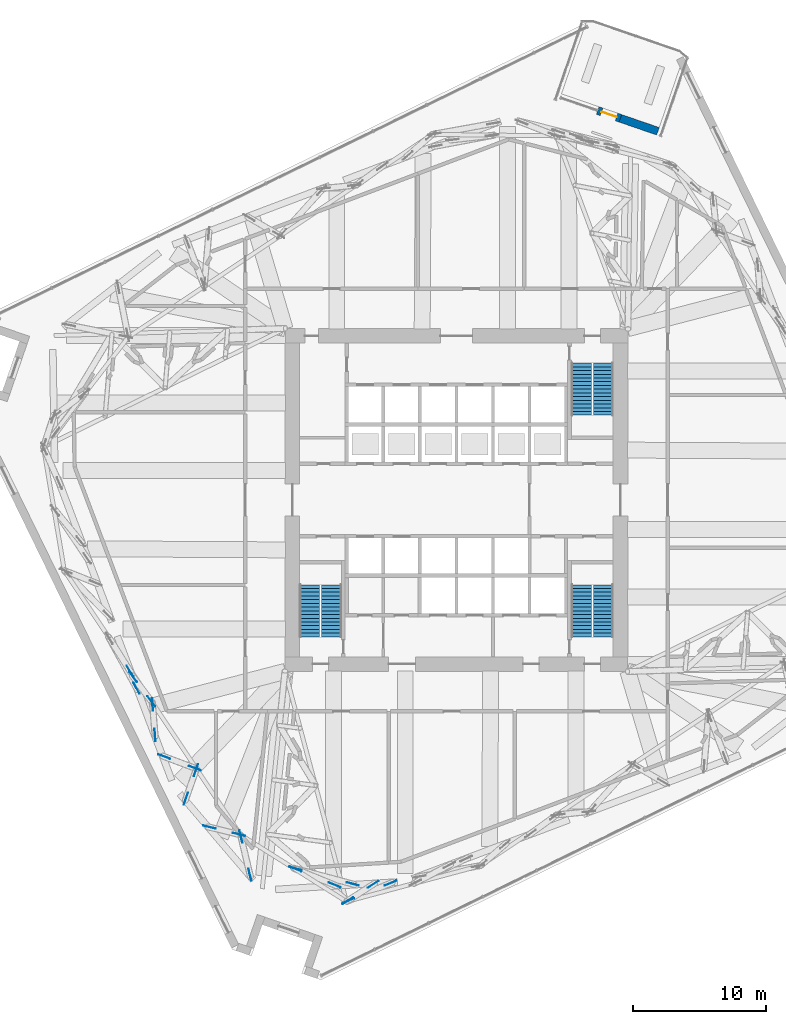
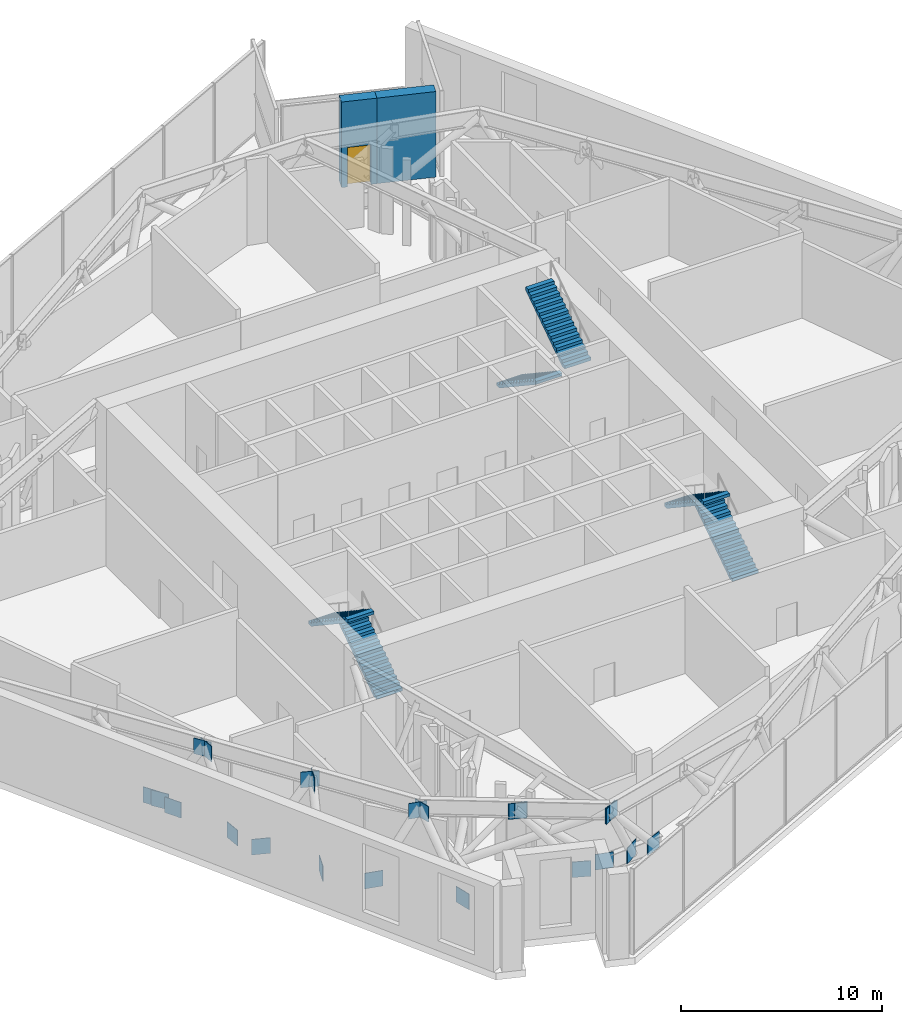
# One storey, part 15 of 21: 22 discrete accessories, 6 stair flights, 2 walls, 1 door, 1 opening, 3 elements without a shape of their own.
"""IFC4 building model written with IfcOpenShell, lengths in metres."""

import ifcopenshell
import ifcopenshell.guid

model = None  # the IFC model being written
_history = None  # IfcOwnerHistory: only IFC2X3 demands one
_inside = {}  # id of a spatial element -> (the spatial element, [elements in it])
_under = {}  # id of a project, library or spatial element -> (it, [spatial elements below it])
_declared = {}  # id of a project -> (the project, [libraries it declares])
_typed = {}  # id of a type object -> (the type object, [elements of that type])
_made_of = {}  # id of a material, layer set ... -> (it, [elements and type objects made of it])


def new_model(schema):
    """Start an empty IFC model of exactly this schema.

    Asked for "IFC4X3", IfcOpenShell would pick the latest addendum, in which some entities
    have other attributes; the version numbers below select the first issue.
    IFC2X3 requires an IfcOwnerHistory on every rooted entity: one is made here for all.
    """
    global model, _history
    if schema == "IFC4X3":
        model = ifcopenshell.file(schema_version=(4, 3, 0, 0))
    else:
        model = ifcopenshell.file(schema=schema)
    _inside.clear()
    _under.clear()
    _declared.clear()
    _typed.clear()
    _made_of.clear()
    _history = None
    if model.schema == "IFC2X3":
        org = make("IfcOrganization", Name="unknown")
        user = make(
            "IfcPersonAndOrganization",
            ThePerson=make("IfcPerson", FamilyName="unknown"),
            TheOrganization=org,
        )
        app = make(
            "IfcApplication",
            ApplicationDeveloper=org,
            Version="unknown",
            ApplicationFullName="unknown",
            ApplicationIdentifier="unknown",
        )
        _history = make(
            "IfcOwnerHistory",
            OwningUser=user,
            OwningApplication=app,
            ChangeAction="ADDED",
            CreationDate=0,
        )
    return model


def make(cls, **values):
    """One entity of the class cls with the attributes given. An attribute that is None is left unset."""
    return model.create_entity(
        cls, **{name: value for name, value in values.items() if value is not None}
    )


def rooted(cls, **values):
    """An entity with a GlobalId (a new one), such as an element, a storey or a relation."""
    return make(cls, GlobalId=ifcopenshell.guid.new(), OwnerHistory=_history, **values)


def si_unit(unit_type, name, prefix=None):
    """IfcSIUnit, for example si_unit("LENGTHUNIT", "METRE", prefix="MILLI")."""
    return make("IfcSIUnit", UnitType=unit_type, Prefix=prefix, Name=name)


def assignment(units):
    """IfcUnitAssignment: the units of a project."""
    return None if units is None else make("IfcUnitAssignment", Units=units)


def point(xyz):
    """IfcCartesianPoint."""
    return None if xyz is None else make("IfcCartesianPoint", Coordinates=xyz)


def direction(xyz):
    """IfcDirection."""
    return None if xyz is None else make("IfcDirection", DirectionRatios=xyz)


def frame(location, z_axis=None, x_axis=None):
    """IfcAxis2Placement3D, a coordinate frame: its origin and axes. An axis left out is left unset."""
    return make(
        "IfcAxis2Placement3D",
        Location=point(location),
        Axis=direction(z_axis),
        RefDirection=direction(x_axis),
    )


def frame_2d(location, x_axis=None):
    """IfcAxis2Placement2D, a coordinate frame in the plane: its origin and x axis."""
    return make(
        "IfcAxis2Placement2D", Location=point(location), RefDirection=direction(x_axis)
    )


def origin():
    """The frame at (0, 0, 0) with its axes left unset."""
    return frame((0.0, 0.0, 0.0))


def origin_2d():
    """The frame at (0, 0) in the plane with its x axis left unset."""
    return frame_2d((0.0, 0.0))


def place(relative_to, where):
    """IfcLocalPlacement: puts the frame where relative to a parent placement (None: the world)."""
    return make(
        "IfcLocalPlacement", PlacementRelTo=relative_to, RelativePlacement=where
    )


def context(
    kind, dimensions, precision=None, world=None, true_north=None, identifier=None
):
    """IfcGeometricRepresentationContext, for example the 3D "Model" context."""
    return make(
        "IfcGeometricRepresentationContext",
        ContextIdentifier=identifier,
        ContextType=kind,
        CoordinateSpaceDimension=dimensions,
        Precision=precision,
        WorldCoordinateSystem=world,
        TrueNorth=true_north,
    )


def subcontext(parent, identifier, kind, view, scale=None):
    """IfcGeometricRepresentationSubContext, for example "Body" below "Model"."""
    return make(
        "IfcGeometricRepresentationSubContext",
        ContextIdentifier=identifier,
        ContextType=kind,
        ParentContext=parent,
        TargetScale=scale,
        TargetView=view,
    )


def project(units=None, contexts=None):
    """IfcProject with its units and contexts."""
    return rooted(
        "IfcProject",
        Name="project",
        RepresentationContexts=contexts,
        UnitsInContext=assignment(units),
    )


def spatial(cls, under=None, at=None, **own):
    """A site, building, storey or space (cls), placed at a placement, below another one or the project."""
    s = rooted(cls, ObjectPlacement=at, **own)
    if under is not None:
        _under.setdefault(under.id(), (under, []))[1].append(s)
    return s


def polyline(points):
    """IfcPolyline through the points."""
    return make("IfcPolyline", Points=[point(p) for p in points])


def profile(cls, at=None, kind="AREA", **sizes):
    """A parametric profile (cls). Its sizes go by their IFC names, for example OverallWidth=200.0."""
    return make(cls, ProfileType=kind, Position=at, **sizes)


def rectangle(**sizes):
    """IfcRectangleProfileDef."""
    return profile("IfcRectangleProfileDef", **sizes)


def outline(outer, holes=None, kind="AREA"):
    """IfcArbitraryClosedProfileDef: a profile drawn as a closed curve; with holes, ...WithVoids."""
    if holes is None:
        return make("IfcArbitraryClosedProfileDef", ProfileType=kind, OuterCurve=outer)
    return make(
        "IfcArbitraryProfileDefWithVoids",
        ProfileType=kind,
        OuterCurve=outer,
        InnerCurves=holes,
    )


def extrude(swept, where, along, depth):
    """IfcExtrudedAreaSolid: the profile swept, set in the frame where, extruded along a direction by depth."""
    return make(
        "IfcExtrudedAreaSolid",
        SweptArea=swept,
        Position=where,
        ExtrudedDirection=direction(along),
        Depth=depth,
    )


def shape(context_of_items, identifier, shape_type, items):
    """IfcShapeRepresentation: the items that make up one representation, for example the "Body"."""
    return make(
        "IfcShapeRepresentation",
        ContextOfItems=context_of_items,
        RepresentationIdentifier=identifier,
        RepresentationType=shape_type,
        Items=items,
    )


def material(Name=None, Category=None):
    """IfcMaterial."""
    return make("IfcMaterial", Name=Name, Category=Category)


def layer(
    of_material, thickness, ventilated=None, Name=None, Category=None, Priority=None
):
    """IfcMaterialLayer: one layer of a wall or slab, of a material (None: an air gap)."""
    return make(
        "IfcMaterialLayer",
        Material=of_material,
        LayerThickness=thickness,
        IsVentilated=ventilated,
        Name=Name,
        Category=Category,
        Priority=Priority,
    )


def layer_set(layers, Name=None):
    """IfcMaterialLayerSet."""
    return make("IfcMaterialLayerSet", MaterialLayers=layers, LayerSetName=Name)


def made_of(thing, what):
    """Note that an element or type object is made of a material, layer set ...; save() writes the relation."""
    if what is not None:
        _made_of.setdefault(what.id(), (what, []))[1].append(thing)
    return thing


def type_object(cls, material=None, **own):
    """A type object (cls), such as IfcWallType, which elements share."""
    return made_of(rooted(cls, **own), material)


def element(
    cls,
    number,
    at=None,
    inside=None,
    cuts=None,
    type_object=None,
    material=None,
    context=None,
    identifier="Body",
    shape_type=None,
    held_by="IfcProductDefinitionShape",
    body=None,
    shapes=None,
    **own,
):
    """One element of the class cls, such as IfcWall. Its Tag is "e" and its number.

    at: its placement. inside: the storey or other place that contains it. cuts: it is an
    opening in that element (IfcRelVoidsElement). A single representation is given by context,
    identifier, shape_type and body (its items); several are given by shapes. held_by: the class
    of the entity that holds the representations. save() writes the other relations.
    """
    e = rooted(cls, Tag="e%d" % number, ObjectPlacement=at, **own)
    if body is not None:
        shapes = [shape(context, identifier, shape_type, body)]
    if shapes is not None:
        e.Representation = make(held_by, Representations=shapes)
    if inside is not None:
        _inside.setdefault(inside.id(), (inside, []))[1].append(e)
    if cuts is not None:
        rooted(
            "IfcRelVoidsElement", RelatingBuildingElement=cuts, RelatedOpeningElement=e
        )
    if type_object is not None:
        _typed.setdefault(type_object.id(), (type_object, []))[1].append(e)
    return made_of(e, material)


def fill(opening, filler):
    """IfcRelFillsElement: the door or window that sits in an opening."""
    return rooted(
        "IfcRelFillsElement",
        RelatingOpeningElement=opening,
        RelatedBuildingElement=filler,
    )


def aggregate(whole, parts):
    """IfcRelAggregates: a whole, such as a stair, and the parts it consists of."""
    return rooted("IfcRelAggregates", RelatingObject=whole, RelatedObjects=parts)


def save(model, path):
    """Write the relations noted so far, then the file.

    IfcRelAggregates (storeys below a building ...), IfcRelContainedInSpatialStructure (elements
    in a storey), IfcRelDefinesByType, IfcRelAssociatesMaterial and IfcRelDeclares: one each for
    every whole, place, type object, material and project.
    """
    for whole, parts in _under.values():
        aggregate(whole, parts)
    for where, things in _inside.values():
        rooted(
            "IfcRelContainedInSpatialStructure",
            RelatedElements=things,
            RelatingStructure=where,
        )
    for kind, things in _typed.values():
        rooted("IfcRelDefinesByType", RelatedObjects=things, RelatingType=kind)
    for what, things in _made_of.values():
        rooted("IfcRelAssociatesMaterial", RelatedObjects=things, RelatingMaterial=what)
    for by, libraries in _declared.values():
        rooted("IfcRelDeclares", RelatingContext=by, RelatedDefinitions=libraries)
    model.write(path)


model = new_model("IFC4")

# Units and contexts
model_context = context("Model", 3, precision=1e-05, world=origin(), true_north=direction((0.0, 1.0)))
body_context = subcontext(model_context, "Body", "Model", "MODEL_VIEW")
ifc_project = project(units=[si_unit("LENGTHUNIT", "METRE"), si_unit("AREAUNIT", "SQUARE_METRE"), si_unit("VOLUMEUNIT", "CUBIC_METRE"), si_unit("PLANEANGLEUNIT", "RADIAN"), si_unit("MASSUNIT", "GRAM", prefix="KILO")], contexts=[model_context])

# Site, building, storey
site_placement = place(None, origin())
site = spatial("IfcSite", under=ifc_project, at=site_placement, CompositionType="ELEMENT")
building_placement = place(site_placement, origin())
building = spatial("IfcBuilding", under=site, at=building_placement, Name="Dilmun Exchange Tower", CompositionType="ELEMENT")
storey_placement = place(building_placement, frame((0.0, 0.0, 130.10009765625)))
storey = spatial("IfcBuildingStorey", under=building, at=storey_placement, Name="L30", CompositionType="ELEMENT", Elevation=130.10009765625)

# Wall
ifc_material_1 = material(Name="Precast concrete C50/60", Category="concrete")
ifc_layer_1 = layer(ifc_material_1, 0.60009765625)
ifc_layer_set_1 = layer_set([ifc_layer_1], Name="Precast concrete C50/60")
wall_type = type_object("IfcWallType", Name="Precast stone-clad wall 600", PredefinedType="STANDARD", material=ifc_layer_set_1)
wall_1_placement = place(storey_placement, frame((15.16455078125, 27.75146484375, 0.0), z_axis=(0.0, 0.0, 1.0), x_axis=(-0.945516977766, 0.325572794866, 0.0)))
element("IfcWall", 1, at=wall_1_placement, inside=storey, type_object=wall_type, Name="Facade wall L30-01-0B", PredefinedType="STANDARD", context=body_context, shape_type="SweptSolid", body=[
    extrude(rectangle(XDim=2.989013671875, YDim=0.60009765625, at=frame_2d((1.49462890625, 0.0))), origin(), (0.0, 0.0, 1.0), 5.199951171875),
])

# Wall, opening, door
wall_2_placement = place(storey_placement, frame((12.33837890625, 28.724609375, 0.0), z_axis=(0.0, 0.0, 1.0), x_axis=(-0.945504051949, 0.325610331143, 0.0)))
wall_2 = element("IfcWall", 2, at=wall_2_placement, inside=storey, type_object=wall_type, Name="Facade wall L30-01-D", PredefinedType="STANDARD", context=body_context, shape_type="SweptSolid", body=[
    extrude(rectangle(XDim=1.80029296875, YDim=0.60009765625, at=frame_2d((0.900146484375, 0.0))), origin(), (0.0, 0.0, 1.0), 5.199951171875),
])
opening_placement = place(wall_2_placement, frame((0.300048828125, 0.0, 0.0)))
opening = element("IfcOpeningElement", 3, at=opening_placement, cuts=wall_2, Name="Opening GD-1", PredefinedType="OPENING", context=body_context, shape_type="SweptSolid", body=[
    extrude(rectangle(XDim=1.199951171875, YDim=2.39990234375, at=frame_2d((0.60009765625, 1.199951171875))), frame((0.0, 0.31005859375, 0.0), z_axis=(0.0, -1.0, 0.0), x_axis=(1.0, 0.0, 0.0)), (0.0, 0.0, 1.0), 0.6201171875),
])
ifc_material_2 = material(Name="Clear low-emissivity glass in aluminium frame", Category="aluminium")
door_type = type_object("IfcDoorType", Name="Glazed garden door 1200 x 2400", OperationType="SINGLE_SWING_LEFT", PredefinedType="DOOR", material=ifc_material_2)
door_placement = place(opening_placement, origin())
door = element("IfcDoor", 4, at=door_placement, inside=storey, type_object=door_type, Name="Garden terrace door", OperationType="SINGLE_SWING_LEFT", OverallHeight=2.39990234375, OverallWidth=1.199951171875, PredefinedType="DOOR", context=body_context, shape_type="SweptSolid", body=[
    extrude(rectangle(XDim=1.199951171875, YDim=2.39990234375, at=frame_2d((0.60009765625, 1.199951171875))), frame((0.0, 0.02490234375, 0.0), z_axis=(0.0, -1.0, 0.0), x_axis=(1.0, 0.0, 0.0)), (0.0, 0.0, 1.0), 0.050048828125),
])
fill(opening, door)

# Stair, stair flights
ifc_material_3 = material(Name="Concrete C40/50", Category="concrete")
stair_type = type_object("IfcStairType", Name="Exit stair 1500 half-turn", PredefinedType="HALF_TURN_STAIR", material=ifc_material_3)
stair_1_placement = place(storey_placement, origin())
stair_1 = element("IfcStair", 5, at=stair_1_placement, inside=storey, type_object=stair_type, Name="L30 Protected exit stair ST1", PredefinedType="HALF_TURN_STAIR")
stair_flight_type = type_object("IfcStairFlightType", Name="Exit stair flight 1500", PredefinedType="STRAIGHT", material=ifc_material_3)
stair_flight_1_placement = place(storey_placement, frame((9.39990234375, 10.300048828125, 0.0), z_axis=(0.0, 0.0, 1.0), x_axis=(0.0, -1.0, 0.0)))
stair_flight_1 = element("IfcStairFlight", 6, at=stair_flight_1_placement, type_object=stair_flight_type, Name="ST1 flight 1", NumberOfRisers=15, NumberOfTreads=14, PredefinedType="STRAIGHT", RiserHeight=0.186666667, TreadLength=0.28, context=body_context, shape_type="SweptSolid", body=[
    extrude(outline(polyline([(0.0, 0.0), (0.0, 0.186767578125), (0.280029296875, 0.186767578125), (0.280029296875, 0.373291015625), (0.56005859375, 0.373291015625), (0.56005859375, 0.56005859375), (0.840087890625, 0.56005859375), (0.840087890625, 0.74658203125), (1.1201171875, 0.74658203125), (1.1201171875, 0.933349609375), (1.39990234375, 0.933349609375), (1.39990234375, 1.1201171875), (1.679931640625, 1.1201171875), (1.679931640625, 1.306640625), (1.9599609375, 1.306640625), (1.9599609375, 1.493408203125), (2.239990234375, 1.493408203125), (2.239990234375, 1.679931640625), (2.52001953125, 1.679931640625), (2.52001953125, 1.86669921875), (2.800048828125, 1.86669921875), (2.800048828125, 2.05322265625), (3.080078125, 2.05322265625), (3.080078125, 2.239990234375), (3.360107421875, 2.239990234375), (3.360107421875, 2.4267578125), (3.639892578125, 2.4267578125), (3.639892578125, 2.61328125), (3.919921875, 2.61328125), (3.919921875, 2.800048828125), (3.919921875, 2.43310546875), (0.270263671875, 0.0), (0.0, 0.0)])), frame((0.0, 0.75, 0.0), z_axis=(0.0, -1.0, 0.0), x_axis=(1.0, 0.0, 0.0)), (0.0, 0.0, 1.0), 1.5),
])
stair_flight_2_placement = place(storey_placement, frame((11.050048828125, 6.3798828125, 2.7998046875), z_axis=(0.0, 0.0, 1.0), x_axis=(0.0, 1.0, 0.0)))
stair_flight_2 = element("IfcStairFlight", 7, at=stair_flight_2_placement, type_object=stair_flight_type, Name="ST1 flight 2", NumberOfRisers=15, NumberOfTreads=14, PredefinedType="STRAIGHT", RiserHeight=0.186666667, TreadLength=0.28, context=body_context, shape_type="SweptSolid", body=[
    extrude(outline(polyline([(0.0, 0.0), (0.0, 0.186767578125), (0.280029296875, 0.186767578125), (0.280029296875, 0.373291015625), (0.56005859375, 0.373291015625), (0.56005859375, 0.56005859375), (0.840087890625, 0.56005859375), (0.840087890625, 0.74658203125), (1.1201171875, 0.74658203125), (1.1201171875, 0.933349609375), (1.39990234375, 0.933349609375), (1.39990234375, 1.1201171875), (1.679931640625, 1.1201171875), (1.679931640625, 1.306640625), (1.9599609375, 1.306640625), (1.9599609375, 1.493408203125), (2.239990234375, 1.493408203125), (2.239990234375, 1.679931640625), (2.52001953125, 1.679931640625), (2.52001953125, 1.86669921875), (2.800048828125, 1.86669921875), (2.800048828125, 2.05322265625), (3.080078125, 2.05322265625), (3.080078125, 2.239990234375), (3.360107421875, 2.239990234375), (3.360107421875, 2.4267578125), (3.639892578125, 2.4267578125), (3.639892578125, 2.61328125), (3.919921875, 2.61328125), (3.919921875, 2.800048828125), (3.919921875, 2.43310546875), (0.270263671875, 0.0), (0.0, 0.0)])), frame((0.0, 0.75, 0.0), z_axis=(0.0, -1.0, 0.0), x_axis=(1.0, 0.0, 0.0)), (0.0, 0.0, 1.0), 1.5),
])
aggregate(stair_1, [stair_flight_1, stair_flight_2])

stair_2_placement = place(storey_placement, origin())
stair_2 = element("IfcStair", 8, at=stair_2_placement, inside=storey, type_object=stair_type, Name="L30 Protected exit stair ST2", PredefinedType="HALF_TURN_STAIR")
stair_flight_3_placement = place(storey_placement, frame((-9.39990234375, -10.300048828125, 0.0), z_axis=(0.0, 0.0, 1.0), x_axis=(0.0, 1.0, 0.0)))
stair_flight_3 = element("IfcStairFlight", 9, at=stair_flight_3_placement, type_object=stair_flight_type, Name="ST2 flight 1", NumberOfRisers=15, NumberOfTreads=14, PredefinedType="STRAIGHT", RiserHeight=0.186666667, TreadLength=0.28, context=body_context, shape_type="SweptSolid", body=[
    extrude(outline(polyline([(0.0, 0.0), (0.0, 0.186767578125), (0.280029296875, 0.186767578125), (0.280029296875, 0.373291015625), (0.56005859375, 0.373291015625), (0.56005859375, 0.56005859375), (0.840087890625, 0.56005859375), (0.840087890625, 0.74658203125), (1.1201171875, 0.74658203125), (1.1201171875, 0.933349609375), (1.39990234375, 0.933349609375), (1.39990234375, 1.1201171875), (1.679931640625, 1.1201171875), (1.679931640625, 1.306640625), (1.9599609375, 1.306640625), (1.9599609375, 1.493408203125), (2.239990234375, 1.493408203125), (2.239990234375, 1.679931640625), (2.52001953125, 1.679931640625), (2.52001953125, 1.86669921875), (2.800048828125, 1.86669921875), (2.800048828125, 2.05322265625), (3.080078125, 2.05322265625), (3.080078125, 2.239990234375), (3.360107421875, 2.239990234375), (3.360107421875, 2.4267578125), (3.639892578125, 2.4267578125), (3.639892578125, 2.61328125), (3.919921875, 2.61328125), (3.919921875, 2.800048828125), (3.919921875, 2.43310546875), (0.270263671875, 0.0), (0.0, 0.0)])), frame((0.0, 0.75, 0.0), z_axis=(0.0, -1.0, 0.0), x_axis=(1.0, 0.0, 0.0)), (0.0, 0.0, 1.0), 1.5),
])
stair_flight_4_placement = place(storey_placement, frame((-11.050048828125, -6.3798828125, 2.7998046875), z_axis=(0.0, 0.0, 1.0), x_axis=(0.0, -1.0, 0.0)))
stair_flight_4 = element("IfcStairFlight", 10, at=stair_flight_4_placement, type_object=stair_flight_type, Name="ST2 flight 2", NumberOfRisers=15, NumberOfTreads=14, PredefinedType="STRAIGHT", RiserHeight=0.186666667, TreadLength=0.28, context=body_context, shape_type="SweptSolid", body=[
    extrude(outline(polyline([(0.0, 0.0), (0.0, 0.186767578125), (0.280029296875, 0.186767578125), (0.280029296875, 0.373291015625), (0.56005859375, 0.373291015625), (0.56005859375, 0.56005859375), (0.840087890625, 0.56005859375), (0.840087890625, 0.74658203125), (1.1201171875, 0.74658203125), (1.1201171875, 0.933349609375), (1.39990234375, 0.933349609375), (1.39990234375, 1.1201171875), (1.679931640625, 1.1201171875), (1.679931640625, 1.306640625), (1.9599609375, 1.306640625), (1.9599609375, 1.493408203125), (2.239990234375, 1.493408203125), (2.239990234375, 1.679931640625), (2.52001953125, 1.679931640625), (2.52001953125, 1.86669921875), (2.800048828125, 1.86669921875), (2.800048828125, 2.05322265625), (3.080078125, 2.05322265625), (3.080078125, 2.239990234375), (3.360107421875, 2.239990234375), (3.360107421875, 2.4267578125), (3.639892578125, 2.4267578125), (3.639892578125, 2.61328125), (3.919921875, 2.61328125), (3.919921875, 2.800048828125), (3.919921875, 2.43310546875), (0.270263671875, 0.0), (0.0, 0.0)])), frame((0.0, 0.75, 0.0), z_axis=(0.0, -1.0, 0.0), x_axis=(1.0, 0.0, 0.0)), (0.0, 0.0, 1.0), 1.5),
])
aggregate(stair_2, [stair_flight_3, stair_flight_4])

stair_3_placement = place(storey_placement, origin())
stair_3 = element("IfcStair", 11, at=stair_3_placement, inside=storey, type_object=stair_type, Name="L30 Protected exit stair ST3", PredefinedType="HALF_TURN_STAIR")
stair_flight_5_placement = place(storey_placement, frame((11.050048828125, -10.300048828125, 0.0), z_axis=(0.0, 0.0, 1.0), x_axis=(0.0, 1.0, 0.0)))
stair_flight_5 = element("IfcStairFlight", 12, at=stair_flight_5_placement, type_object=stair_flight_type, Name="ST3 flight 1", NumberOfRisers=15, NumberOfTreads=14, PredefinedType="STRAIGHT", RiserHeight=0.186666667, TreadLength=0.28, context=body_context, shape_type="SweptSolid", body=[
    extrude(outline(polyline([(0.0, 0.0), (0.0, 0.186767578125), (0.280029296875, 0.186767578125), (0.280029296875, 0.373291015625), (0.56005859375, 0.373291015625), (0.56005859375, 0.56005859375), (0.840087890625, 0.56005859375), (0.840087890625, 0.74658203125), (1.1201171875, 0.74658203125), (1.1201171875, 0.933349609375), (1.39990234375, 0.933349609375), (1.39990234375, 1.1201171875), (1.679931640625, 1.1201171875), (1.679931640625, 1.306640625), (1.9599609375, 1.306640625), (1.9599609375, 1.493408203125), (2.239990234375, 1.493408203125), (2.239990234375, 1.679931640625), (2.52001953125, 1.679931640625), (2.52001953125, 1.86669921875), (2.800048828125, 1.86669921875), (2.800048828125, 2.05322265625), (3.080078125, 2.05322265625), (3.080078125, 2.239990234375), (3.360107421875, 2.239990234375), (3.360107421875, 2.4267578125), (3.639892578125, 2.4267578125), (3.639892578125, 2.61328125), (3.919921875, 2.61328125), (3.919921875, 2.800048828125), (3.919921875, 2.43310546875), (0.270263671875, 0.0), (0.0, 0.0)])), frame((0.0, 0.75, 0.0), z_axis=(0.0, -1.0, 0.0), x_axis=(1.0, 0.0, 0.0)), (0.0, 0.0, 1.0), 1.5),
])
stair_flight_6_placement = place(storey_placement, frame((9.39990234375, -6.3798828125, 2.7998046875), z_axis=(0.0, 0.0, 1.0), x_axis=(0.0, -1.0, 0.0)))
stair_flight_6 = element("IfcStairFlight", 13, at=stair_flight_6_placement, type_object=stair_flight_type, Name="ST3 flight 2", NumberOfRisers=15, NumberOfTreads=14, PredefinedType="STRAIGHT", RiserHeight=0.186666667, TreadLength=0.28, context=body_context, shape_type="SweptSolid", body=[
    extrude(outline(polyline([(0.0, 0.0), (0.0, 0.186767578125), (0.280029296875, 0.186767578125), (0.280029296875, 0.373291015625), (0.56005859375, 0.373291015625), (0.56005859375, 0.56005859375), (0.840087890625, 0.56005859375), (0.840087890625, 0.74658203125), (1.1201171875, 0.74658203125), (1.1201171875, 0.933349609375), (1.39990234375, 0.933349609375), (1.39990234375, 1.1201171875), (1.679931640625, 1.1201171875), (1.679931640625, 1.306640625), (1.9599609375, 1.306640625), (1.9599609375, 1.493408203125), (2.239990234375, 1.493408203125), (2.239990234375, 1.679931640625), (2.52001953125, 1.679931640625), (2.52001953125, 1.86669921875), (2.800048828125, 1.86669921875), (2.800048828125, 2.05322265625), (3.080078125, 2.05322265625), (3.080078125, 2.239990234375), (3.360107421875, 2.239990234375), (3.360107421875, 2.4267578125), (3.639892578125, 2.4267578125), (3.639892578125, 2.61328125), (3.919921875, 2.61328125), (3.919921875, 2.800048828125), (3.919921875, 2.43310546875), (0.270263671875, 0.0), (0.0, 0.0)])), frame((0.0, 0.75, 0.0), z_axis=(0.0, -1.0, 0.0), x_axis=(1.0, 0.0, 0.0)), (0.0, 0.0, 1.0), 1.5),
])
aggregate(stair_3, [stair_flight_5, stair_flight_6])

# Discrete accessories
ifc_material_4 = material(Name="Steel S355J2", Category="steel")
ifc_layer_2 = layer(ifc_material_4, 0.034912109375)
ifc_layer_set_2 = layer_set([ifc_layer_2], Name="Steel S355J2")
discrete_accessory_type = type_object("IfcDiscreteAccessoryType", Name="Gusset plate 35 x 950 x 950", PredefinedType="BRACKET", material=ifc_layer_set_2)
for number, where, z_axis, x_axis, name in (
    (14, (-24.561279296875, -12.882080078125, 0.21337890625), (0.0, 0.0, 1.0), (0.532354834322, -0.846521311234, 0.0), "Gusset plate L30-DG23 end 2"),
    (15, (-24.073974609375, -14.160400390625, 0.18505859375), (0.0, 0.0, 1.0), (0.480074992403, -0.877227451502, 0.0), "Gusset plate L30-DG24 end 2"),
    (16, (-22.87109375, -15.3779296875, 4.01806640625), (0.0, 0.0, 1.0), (0.080922621378, -0.996720386743, 0.0), "Gusset plate L30-DG25 end 1"),
    (17, (-22.684814453125, -17.673095703125, 0.22802734375), (0.0, 0.0, 1.0), (0.080922621378, -0.996720386743, 0.0), "Gusset plate L30-DG25 end 2"),
    (18, (-22.954833984375, -15.15625, 4.01806640625), (0.0, 0.0, 1.0), (-0.598177753094, 0.801363447946, 0.0), "Gusset plate L30-DG26 end 1"),
    (19, (-24.332275390625, -13.310791015625, 0.22802734375), (0.0, 0.0, 1.0), (-0.598177753094, 0.801363447946, 0.0), "Gusset plate L30-DG26 end 2"),
    (20, (-19.607177734375, -20.341796875, 4.01708984375), (0.0, 0.0, 1.0), (-0.332817898694, -0.942991116771, 0.0), "Gusset plate L30-DG27 end 1"),
    (21, (-20.364013671875, -22.486328125, 0.228515625), (0.0, 0.0, 1.0), (-0.332817898694, -0.942991116771, 0.0), "Gusset plate L30-DG27 end 2"),
    (22, (-19.6875, -20.180908203125, 4.02197265625), (0.0, 0.0, 1.0), (-0.936003028356, 0.351991947221, 0.0), "Gusset plate L30-DG28 end 1"),
    (23, (-21.998291015625, -19.31201171875, 0.22412109375), (0.0, 0.0, 1.0), (-0.936003028356, 0.351991947221, 0.0), "Gusset plate L30-DG28 end 2"),
    (24, (-16.218505859375, -25.339111328125, 4.03271484375), (0.0, 0.0, 1.0), (0.231528879591, -0.972828031008, 0.0), "Gusset plate L30-DG29 end 1"),
    (25, (-15.53564453125, -28.207763671875, 0.212890625), (0.0, 0.0, 1.0), (0.231528879591, -0.972828031008, 0.0), "Gusset plate L30-DG29 end 2"),
    (26, (-16.370849609375, -25.168701171875, 4.017578125), (0.0, 0.0, 1.0), (-0.971099298642, 0.238675830736, 0.0), "Gusset plate L30-DG30 end 1"),
    (27, (-18.585205078125, -24.62451171875, 0.228515625), (0.0, 0.0, 1.0), (-0.971099298642, 0.238675830736, 0.0), "Gusset plate L30-DG30 end 2"),
    (28, (-12.123291015625, -27.76708984375, 4.03857421875), (0.0, 0.0, 1.0), (0.925737977068, -0.378165569314, 0.0), "Gusset plate L30-DG31 end 1"),
    (29, (-9.16748046875, -28.974365234375, 0.20751953125), (0.0, 0.0, 1.0), (0.925737977068, -0.378165569314, 0.0), "Gusset plate L30-DG31 end 2"),
    (30, (-12.09130859375, -27.755615234375, 4.064453125), (0.0, 0.0, 1.0), (0.966198131093, -0.257800642885, 0.0), "Gusset plate L30-DG32 end 1"),
    (31, (-7.802001953125, -28.89990234375, 0.18115234375), (0.0, 0.0, 1.0), (0.966198131093, -0.257800642885, 0.0), "Gusset plate L30-DG32 end 2"),
    (32, (-8.129638671875, -30.159912109375, 4.0439453125), (0.0, 0.0, 1.0), (0.922995442139, 0.384810880552, 0.0), "Gusset plate L30-DG33 end 1"),
    (33, (-4.947509765625, -28.833251953125, 0.20166015625), (0.0, 0.0, 1.0), (0.922995442139, 0.384810880552, 0.0), "Gusset plate L30-DG33 end 2"),
    (34, (-8.173095703125, -30.15478515625, 4.01708984375), (0.0, 0.0, 1.0), (0.840724459472, 0.54146318734, 0.0), "Gusset plate L30-DG34 end 1"),
    (35, (-6.2587890625, -28.921630859375, 0.228515625), (0.0, 0.0, 1.0), (0.840724459472, 0.54146318734, 0.0), "Gusset plate L30-DG34 end 2"),
):
    element("IfcDiscreteAccessory", number, at=place(storey_placement, frame(where, z_axis=z_axis, x_axis=x_axis)), inside=storey, type_object=discrete_accessory_type, Name=name, PredefinedType="BRACKET", context=body_context, shape_type="SweptSolid", body=[
        extrude(rectangle(XDim=0.949951171875, YDim=0.034912109375, at=origin_2d()), origin(), (0.0, 0.0, 1.0), 0.949951171875),
    ])

save(model, "model.ifc")
